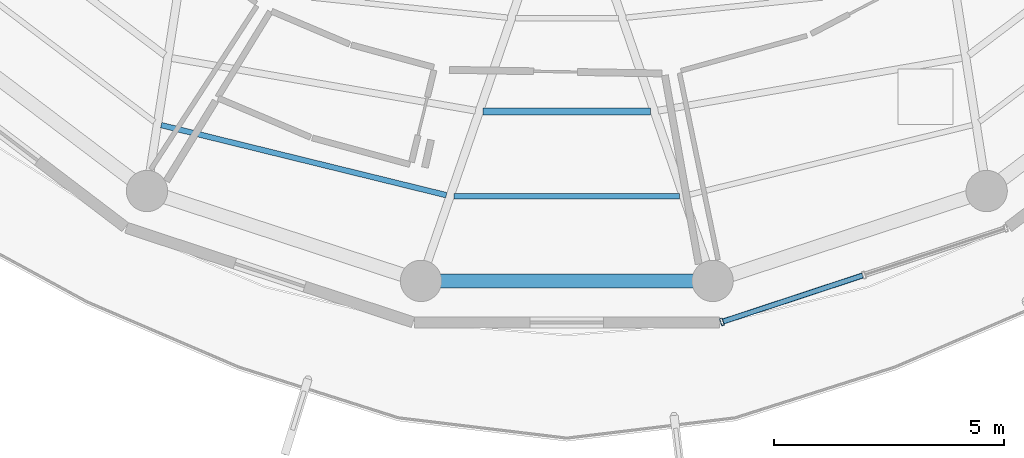
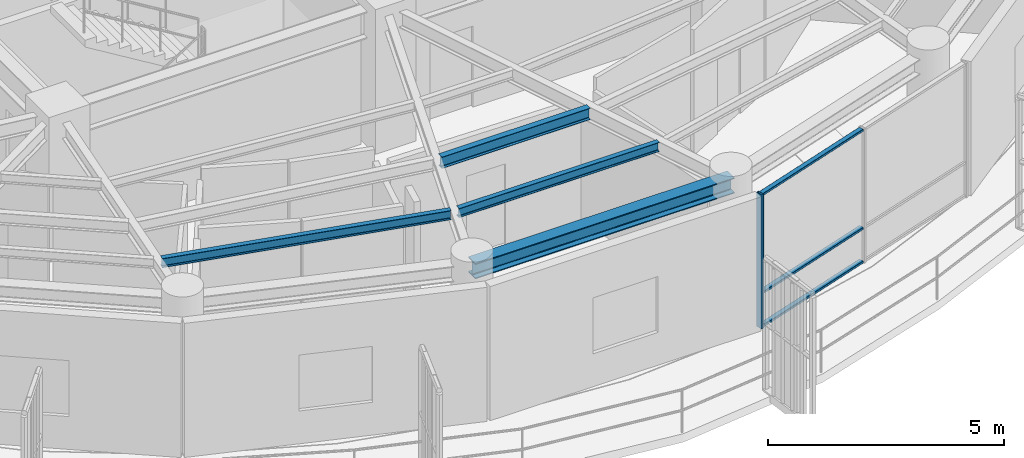
# One storey, part 3 of 23: 4 beams, 4 members, 1 element without a shape of its own.
"""IFC4 building model written with IfcOpenShell, lengths in metres."""

import ifcopenshell
import ifcopenshell.guid

model = None  # the IFC model being written
_history = None  # IfcOwnerHistory: only IFC2X3 demands one
_inside = {}  # id of a spatial element -> (the spatial element, [elements in it])
_under = {}  # id of a project, library or spatial element -> (it, [spatial elements below it])
_declared = {}  # id of a project -> (the project, [libraries it declares])
_typed = {}  # id of a type object -> (the type object, [elements of that type])
_made_of = {}  # id of a material, layer set ... -> (it, [elements and type objects made of it])


def new_model(schema):
    """Start an empty IFC model of exactly this schema.

    Asked for "IFC4X3", IfcOpenShell would pick the latest addendum, in which some entities
    have other attributes; the version numbers below select the first issue.
    IFC2X3 requires an IfcOwnerHistory on every rooted entity: one is made here for all.
    """
    global model, _history
    if schema == "IFC4X3":
        model = ifcopenshell.file(schema_version=(4, 3, 0, 0))
    else:
        model = ifcopenshell.file(schema=schema)
    _inside.clear()
    _under.clear()
    _declared.clear()
    _typed.clear()
    _made_of.clear()
    _history = None
    if model.schema == "IFC2X3":
        org = make("IfcOrganization", Name="unknown")
        user = make(
            "IfcPersonAndOrganization",
            ThePerson=make("IfcPerson", FamilyName="unknown"),
            TheOrganization=org,
        )
        app = make(
            "IfcApplication",
            ApplicationDeveloper=org,
            Version="unknown",
            ApplicationFullName="unknown",
            ApplicationIdentifier="unknown",
        )
        _history = make(
            "IfcOwnerHistory",
            OwningUser=user,
            OwningApplication=app,
            ChangeAction="ADDED",
            CreationDate=0,
        )
    return model


def make(cls, **values):
    """One entity of the class cls with the attributes given. An attribute that is None is left unset."""
    return model.create_entity(
        cls, **{name: value for name, value in values.items() if value is not None}
    )


def rooted(cls, **values):
    """An entity with a GlobalId (a new one), such as an element, a storey or a relation."""
    return make(cls, GlobalId=ifcopenshell.guid.new(), OwnerHistory=_history, **values)


def si_unit(unit_type, name, prefix=None):
    """IfcSIUnit, for example si_unit("LENGTHUNIT", "METRE", prefix="MILLI")."""
    return make("IfcSIUnit", UnitType=unit_type, Prefix=prefix, Name=name)


def assignment(units):
    """IfcUnitAssignment: the units of a project."""
    return None if units is None else make("IfcUnitAssignment", Units=units)


def point(xyz):
    """IfcCartesianPoint."""
    return None if xyz is None else make("IfcCartesianPoint", Coordinates=xyz)


def direction(xyz):
    """IfcDirection."""
    return None if xyz is None else make("IfcDirection", DirectionRatios=xyz)


def frame(location, z_axis=None, x_axis=None):
    """IfcAxis2Placement3D, a coordinate frame: its origin and axes. An axis left out is left unset."""
    return make(
        "IfcAxis2Placement3D",
        Location=point(location),
        Axis=direction(z_axis),
        RefDirection=direction(x_axis),
    )


def frame_2d(location, x_axis=None):
    """IfcAxis2Placement2D, a coordinate frame in the plane: its origin and x axis."""
    return make(
        "IfcAxis2Placement2D", Location=point(location), RefDirection=direction(x_axis)
    )


def origin():
    """The frame at (0, 0, 0) with its axes left unset."""
    return frame((0.0, 0.0, 0.0))


def origin_2d():
    """The frame at (0, 0) in the plane with its x axis left unset."""
    return frame_2d((0.0, 0.0))


def place(relative_to, where):
    """IfcLocalPlacement: puts the frame where relative to a parent placement (None: the world)."""
    return make(
        "IfcLocalPlacement", PlacementRelTo=relative_to, RelativePlacement=where
    )


def context(
    kind, dimensions, precision=None, world=None, true_north=None, identifier=None
):
    """IfcGeometricRepresentationContext, for example the 3D "Model" context."""
    return make(
        "IfcGeometricRepresentationContext",
        ContextIdentifier=identifier,
        ContextType=kind,
        CoordinateSpaceDimension=dimensions,
        Precision=precision,
        WorldCoordinateSystem=world,
        TrueNorth=true_north,
    )


def subcontext(parent, identifier, kind, view, scale=None):
    """IfcGeometricRepresentationSubContext, for example "Body" below "Model"."""
    return make(
        "IfcGeometricRepresentationSubContext",
        ContextIdentifier=identifier,
        ContextType=kind,
        ParentContext=parent,
        TargetScale=scale,
        TargetView=view,
    )


def project(units=None, contexts=None):
    """IfcProject with its units and contexts."""
    return rooted(
        "IfcProject",
        Name="project",
        RepresentationContexts=contexts,
        UnitsInContext=assignment(units),
    )


def spatial(cls, under=None, at=None, **own):
    """A site, building, storey or space (cls), placed at a placement, below another one or the project."""
    s = rooted(cls, ObjectPlacement=at, **own)
    if under is not None:
        _under.setdefault(under.id(), (under, []))[1].append(s)
    return s


def profile(cls, at=None, kind="AREA", **sizes):
    """A parametric profile (cls). Its sizes go by their IFC names, for example OverallWidth=200.0."""
    return make(cls, ProfileType=kind, Position=at, **sizes)


def hollow_rectangle(**sizes):
    """IfcRectangleHollowProfileDef."""
    return profile("IfcRectangleHollowProfileDef", **sizes)


def i_section(**sizes):
    """IfcIShapeProfileDef."""
    return profile("IfcIShapeProfileDef", **sizes)


def extrude(swept, where, along, depth):
    """IfcExtrudedAreaSolid: the profile swept, set in the frame where, extruded along a direction by depth."""
    return make(
        "IfcExtrudedAreaSolid",
        SweptArea=swept,
        Position=where,
        ExtrudedDirection=direction(along),
        Depth=depth,
    )


def shape(context_of_items, identifier, shape_type, items):
    """IfcShapeRepresentation: the items that make up one representation, for example the "Body"."""
    return make(
        "IfcShapeRepresentation",
        ContextOfItems=context_of_items,
        RepresentationIdentifier=identifier,
        RepresentationType=shape_type,
        Items=items,
    )


def material(Name=None, Category=None):
    """IfcMaterial."""
    return make("IfcMaterial", Name=Name, Category=Category)


def layer(
    of_material, thickness, ventilated=None, Name=None, Category=None, Priority=None
):
    """IfcMaterialLayer: one layer of a wall or slab, of a material (None: an air gap)."""
    return make(
        "IfcMaterialLayer",
        Material=of_material,
        LayerThickness=thickness,
        IsVentilated=ventilated,
        Name=Name,
        Category=Category,
        Priority=Priority,
    )


def layer_set(layers, Name=None):
    """IfcMaterialLayerSet."""
    return make("IfcMaterialLayerSet", MaterialLayers=layers, LayerSetName=Name)


def material_profile(
    of_material, cross_section, Name=None, Category=None, Priority=None
):
    """IfcMaterialProfile: a cross section and its material."""
    return make(
        "IfcMaterialProfile",
        Name=Name,
        Material=of_material,
        Profile=cross_section,
        Priority=Priority,
        Category=Category,
    )


def profile_set(profiles, Name=None, composite=None):
    """IfcMaterialProfileSet."""
    return make(
        "IfcMaterialProfileSet",
        Name=Name,
        MaterialProfiles=profiles,
        CompositeProfile=composite,
    )


def made_of(thing, what):
    """Note that an element or type object is made of a material, layer set ...; save() writes the relation."""
    if what is not None:
        _made_of.setdefault(what.id(), (what, []))[1].append(thing)
    return thing


def type_object(cls, material=None, **own):
    """A type object (cls), such as IfcWallType, which elements share."""
    return made_of(rooted(cls, **own), material)


def element(
    cls,
    number,
    at=None,
    inside=None,
    cuts=None,
    type_object=None,
    material=None,
    context=None,
    identifier="Body",
    shape_type=None,
    held_by="IfcProductDefinitionShape",
    body=None,
    shapes=None,
    **own,
):
    """One element of the class cls, such as IfcWall. Its Tag is "e" and its number.

    at: its placement. inside: the storey or other place that contains it. cuts: it is an
    opening in that element (IfcRelVoidsElement). A single representation is given by context,
    identifier, shape_type and body (its items); several are given by shapes. held_by: the class
    of the entity that holds the representations. save() writes the other relations.
    """
    e = rooted(cls, Tag="e%d" % number, ObjectPlacement=at, **own)
    if body is not None:
        shapes = [shape(context, identifier, shape_type, body)]
    if shapes is not None:
        e.Representation = make(held_by, Representations=shapes)
    if inside is not None:
        _inside.setdefault(inside.id(), (inside, []))[1].append(e)
    if cuts is not None:
        rooted(
            "IfcRelVoidsElement", RelatingBuildingElement=cuts, RelatedOpeningElement=e
        )
    if type_object is not None:
        _typed.setdefault(type_object.id(), (type_object, []))[1].append(e)
    return made_of(e, material)


def aggregate(whole, parts):
    """IfcRelAggregates: a whole, such as a stair, and the parts it consists of."""
    return rooted("IfcRelAggregates", RelatingObject=whole, RelatedObjects=parts)


def save(model, path):
    """Write the relations noted so far, then the file.

    IfcRelAggregates (storeys below a building ...), IfcRelContainedInSpatialStructure (elements
    in a storey), IfcRelDefinesByType, IfcRelAssociatesMaterial and IfcRelDeclares: one each for
    every whole, place, type object, material and project.
    """
    for whole, parts in _under.values():
        aggregate(whole, parts)
    for where, things in _inside.values():
        rooted(
            "IfcRelContainedInSpatialStructure",
            RelatedElements=things,
            RelatingStructure=where,
        )
    for kind, things in _typed.values():
        rooted("IfcRelDefinesByType", RelatedObjects=things, RelatingType=kind)
    for what, things in _made_of.values():
        rooted("IfcRelAssociatesMaterial", RelatedObjects=things, RelatingMaterial=what)
    for by, libraries in _declared.values():
        rooted("IfcRelDeclares", RelatingContext=by, RelatedDefinitions=libraries)
    model.write(path)


model = new_model("IFC4")

# Units and contexts
model_context = context("Model", 3, precision=1e-05, world=origin(), true_north=direction((0.0, 1.0)))
body_context = subcontext(model_context, "Body", "Model", "MODEL_VIEW")
ifc_project = project(units=[si_unit("LENGTHUNIT", "METRE"), si_unit("AREAUNIT", "SQUARE_METRE"), si_unit("VOLUMEUNIT", "CUBIC_METRE"), si_unit("PLANEANGLEUNIT", "RADIAN"), si_unit("MASSUNIT", "GRAM", prefix="KILO")], contexts=[model_context])

# Site, building, storey
site_placement = place(None, origin())
site = spatial("IfcSite", under=ifc_project, at=site_placement, CompositionType="ELEMENT")
building_placement = place(site_placement, origin())
building = spatial("IfcBuilding", under=site, at=building_placement, Name="Kelanora Arch Commons", CompositionType="ELEMENT")
storey_placement = place(building_placement, frame((0.0, 0.0, 252.449951171875)))
storey = spatial("IfcBuildingStorey", under=building, at=storey_placement, Name="L64", CompositionType="ELEMENT", Elevation=252.449951171875)

# Beams
ifc_material_1 = material(Name="Steel S355", Category="steel")
ifc_material_profile_1 = material_profile(ifc_material_1, i_section(OverallWidth=0.14990234375, OverallDepth=0.300048828125, WebThickness=0.007080078125, FlangeThickness=0.0107421875, FilletRadius=0.014892578125, at=origin_2d()), Name="IPE300")
ifc_profile_set_1 = profile_set([ifc_material_profile_1], Name="Steel S355")
beam_type_1 = type_object("IfcBeamType", Name="BM-JST-01", PredefinedType="JOIST", material=ifc_profile_set_1)
beam_1_placement = place(storey_placement, frame((72.180419921875, 45.462158203125, 3.340087890625), z_axis=(1.0, 0.0, 0.0), x_axis=(0.0, 1.0, 0.0)))
element("IfcBeam", 1, at=beam_1_placement, inside=storey, type_object=beam_type_1, Name="Secondary Chord Joist BJB-26 L64", PredefinedType="JOIST", context=body_context, shape_type="SweptSolid", body=[
    extrude(i_section(OverallWidth=0.14990234375, OverallDepth=0.300048828125, WebThickness=0.007080078125, FlangeThickness=0.0107421875, FilletRadius=0.014892578125, at=origin_2d()), origin(), (0.0, 0.0, 1.0), 3.63916015625),
])
ifc_material_profile_2 = material_profile(ifc_material_1, i_section(OverallWidth=0.1201171875, OverallDepth=0.239990234375, WebThickness=0.006103515625, FlangeThickness=0.009765625, FilletRadius=0.014892578125, at=origin_2d()), Name="IPE240")
ifc_profile_set_2 = profile_set([ifc_material_profile_2], Name="Steel S355")
beam_type_2 = type_object("IfcBeamType", Name="BM-JST-02", PredefinedType="JOIST", material=ifc_profile_set_2)
beam_2_placement = place(storey_placement, frame((65.17041015625, 45.162109375, 3.3701171875), z_axis=(0.971109719488, -0.23863342749, 0.0), x_axis=(0.23863342749, 0.971109719488, 0.0)))
element("IfcBeam", 2, at=beam_2_placement, inside=storey, type_object=beam_type_2, Name="Secondary Chord Joist BJC-24 L64", PredefinedType="JOIST", context=body_context, shape_type="SweptSolid", body=[
    extrude(i_section(OverallWidth=0.1201171875, OverallDepth=0.239990234375, WebThickness=0.006103515625, FlangeThickness=0.009765625, FilletRadius=0.014892578125, at=origin_2d()), origin(), (0.0, 0.0, 1.0), 6.39208984375),
])
beam_3_placement = place(storey_placement, frame((71.545654296875, 43.6162109375, 3.3701171875), z_axis=(1.0, 0.0, 0.0), x_axis=(0.0, 1.0, 0.0)))
element("IfcBeam", 3, at=beam_3_placement, inside=storey, type_object=beam_type_2, Name="Secondary Chord Joist BJC-26 L64", PredefinedType="JOIST", context=body_context, shape_type="SweptSolid", body=[
    extrude(i_section(OverallWidth=0.1201171875, OverallDepth=0.239990234375, WebThickness=0.006103515625, FlangeThickness=0.009765625, FilletRadius=0.014892578125, at=origin_2d()), origin(), (0.0, 0.0, 1.0), 4.90869140625),
])
ifc_material_profile_3 = material_profile(ifc_material_1, i_section(OverallWidth=0.300048828125, OverallDepth=0.39990234375, WebThickness=0.013427734375, FlangeThickness=0.02392578125, FilletRadius=0.027099609375, at=origin_2d()), Name="HEB400")
ifc_profile_set_3 = profile_set([ifc_material_profile_3], Name="Steel S355")
beam_type_3 = type_object("IfcBeamType", Name="BM-SPN-Z4", PredefinedType="SPANDREL", material=ifc_profile_set_3)
beam_4_placement = place(storey_placement, frame((70.82568359375, 41.7705078125, 3.2900390625), z_axis=(1.0, 0.0, 0.0), x_axis=(0.0, 1.0, 0.0)))
element("IfcBeam", 4, at=beam_4_placement, inside=storey, type_object=beam_type_3, Name="Perimeter Spandrel Beam BS-26 L64", PredefinedType="SPANDREL", context=body_context, shape_type="SweptSolid", body=[
    extrude(i_section(OverallWidth=0.300048828125, OverallDepth=0.39990234375, WebThickness=0.013427734375, FlangeThickness=0.02392578125, FilletRadius=0.027099609375, at=origin_2d()), origin(), (0.0, 0.0, 1.0), 6.3486328125),
])

# Curtain wall, members
ifc_material_2 = material(Name="Terracotta ceramic-fritted low-E glass and aluminium", Category="masonry")
ifc_layer = layer(ifc_material_2, 0.18994140625)
ifc_layer_set = layer_set([ifc_layer], Name="Terracotta ceramic-fritted low-E glass and aluminium")
curtain_wall_type = type_object("IfcCurtainWallType", Name="CW-SYS-03", PredefinedType="NOTDEFINED", material=ifc_layer_set)
curtain_wall_placement = place(storey_placement, origin())
curtain_wall = element("IfcCurtainWall", 5, at=curtain_wall_placement, inside=storey, type_object=curtain_wall_type, Name="Unitised Curtain Wall L64-B14", PredefinedType="NOTDEFINED")
ifc_material_3 = material(Name="Powder-coated aluminium terracotta", Category="masonry")
ifc_material_profile_4 = material_profile(ifc_material_3, hollow_rectangle(XDim=0.159912109375, YDim=0.06005859375, WallThickness=0.0048828125, InnerFilletRadius=0.0048828125, OuterFilletRadius=0.010009765625, at=origin_2d()), Name="CWM160x60")
ifc_profile_set_4 = profile_set([ifc_material_profile_4], Name="Powder-coated aluminium terracotta")
member_type_1 = type_object("IfcMemberType", Name="CWM-STD", PredefinedType="MULLION", material=ifc_profile_set_4)
member_1_placement = place(storey_placement, frame((77.376708984375, 40.87841796875, 0.0), z_axis=(0.0, 0.0, 1.0), x_axis=(-0.313252785344, 0.949669780752, 0.0)))
member_1 = element("IfcMember", 6, at=member_1_placement, type_object=member_type_1, Name="CW-03 mullion 1", PredefinedType="MULLION", context=body_context, shape_type="SweptSolid", body=[
    extrude(hollow_rectangle(XDim=0.159912109375, YDim=0.06005859375, WallThickness=0.0048828125, InnerFilletRadius=0.0048828125, OuterFilletRadius=0.010009765625, at=origin_2d()), origin(), (0.0, 0.0, 1.0), 3.47509765625),
])
ifc_material_profile_5 = material_profile(ifc_material_3, hollow_rectangle(XDim=0.1201171875, YDim=0.06005859375, WallThickness=0.0048828125, InnerFilletRadius=0.0048828125, OuterFilletRadius=0.010009765625, at=origin_2d()), Name="CWT120x60")
ifc_profile_set_5 = profile_set([ifc_material_profile_5], Name="Powder-coated aluminium terracotta")
member_type_2 = type_object("IfcMemberType", Name="CWT-STD", PredefinedType="USERDEFINED", material=ifc_profile_set_5)
member_2_placement = place(storey_placement, frame((77.4052734375, 40.8876953125, 0.030029296875), z_axis=(0.949649574195, 0.313314037719, 0.0), x_axis=(-0.313314037719, 0.949649574195, 0.0)))
member_2 = element("IfcMember", 7, at=member_2_placement, type_object=member_type_2, Name="CW-03 transom 1.1", ObjectType="TRANSOM", PredefinedType="USERDEFINED", context=body_context, shape_type="SweptSolid", body=[
    extrude(hollow_rectangle(XDim=0.1201171875, YDim=0.06005859375, WallThickness=0.0048828125, InnerFilletRadius=0.0048828125, OuterFilletRadius=0.010009765625, at=origin_2d()), origin(), (0.0, 0.0, 1.0), 3.194091796875),
])
member_3_placement = place(storey_placement, frame((77.4052734375, 40.8876953125, 0.900146484375), z_axis=(0.949649574195, 0.313314037719, 0.0), x_axis=(-0.313314037719, 0.949649574195, 0.0)))
member_3 = element("IfcMember", 8, at=member_3_placement, type_object=member_type_2, Name="CW-03 transom 1.2", ObjectType="TRANSOM", PredefinedType="USERDEFINED", context=body_context, shape_type="SweptSolid", body=[
    extrude(hollow_rectangle(XDim=0.1201171875, YDim=0.06005859375, WallThickness=0.0048828125, InnerFilletRadius=0.0048828125, OuterFilletRadius=0.010009765625, at=origin_2d()), origin(), (0.0, 0.0, 1.0), 3.194091796875),
])
member_4_placement = place(storey_placement, frame((77.4052734375, 40.8876953125, 3.445068359375), z_axis=(0.949649574195, 0.313314037719, 0.0), x_axis=(-0.313314037719, 0.949649574195, 0.0)))
member_4 = element("IfcMember", 9, at=member_4_placement, type_object=member_type_2, Name="CW-03 transom 1.3", ObjectType="TRANSOM", PredefinedType="USERDEFINED", context=body_context, shape_type="SweptSolid", body=[
    extrude(hollow_rectangle(XDim=0.1201171875, YDim=0.06005859375, WallThickness=0.0048828125, InnerFilletRadius=0.0048828125, OuterFilletRadius=0.010009765625, at=origin_2d()), origin(), (0.0, 0.0, 1.0), 3.194091796875),
])
aggregate(curtain_wall, [member_1, member_2, member_3, member_4])

save(model, "model.ifc")
